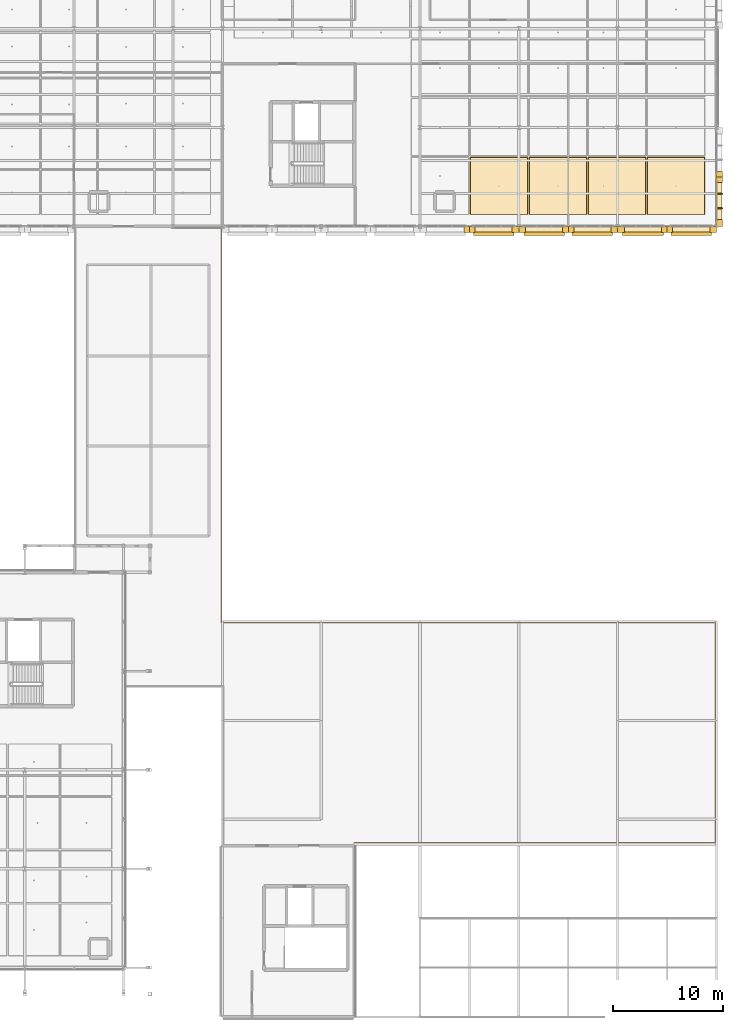
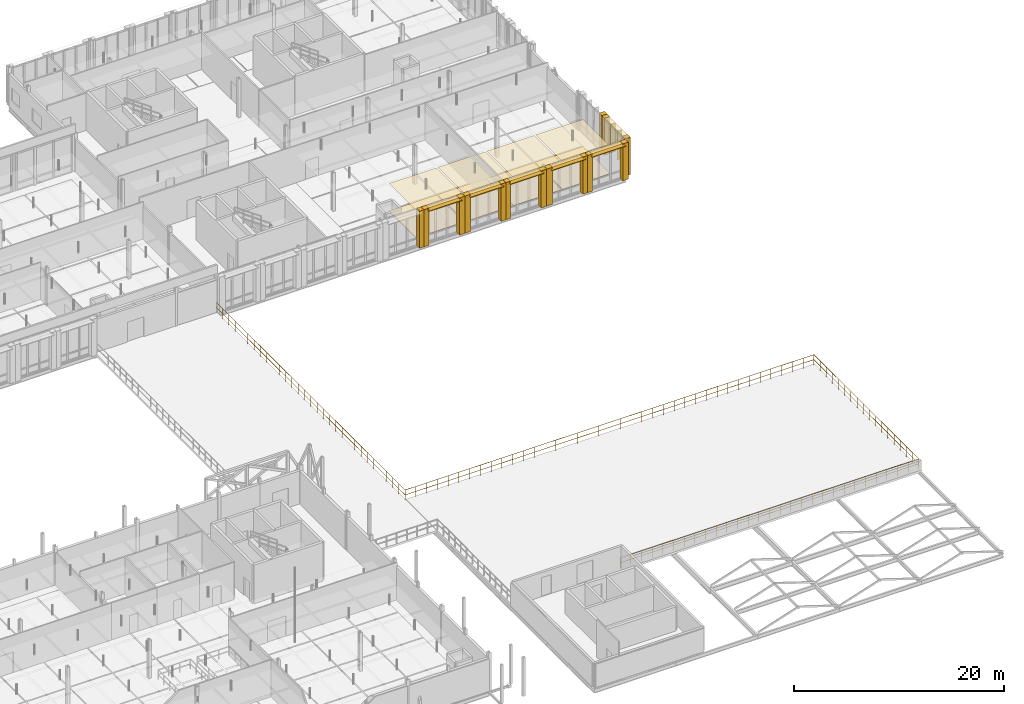
# One storey, part 88 of 89: 28 coverings, 7 shading devices, 1 railing.
"""IFC4 building model written with IfcOpenShell, lengths in metres."""

from ifc_helpers import new_model, si_unit, direction, frame, origin, origin_2d, place, context, subcontext, project, spatial, rectangle, circle, extrude, material, layer, layer_set, type_object, element, save


model = new_model("IFC4")

# Units and contexts
model_context = context("Model", 3, precision=1e-05, world=origin(), true_north=direction((0.0, 1.0)))
body_context = subcontext(model_context, "Body", "Model", "MODEL_VIEW")
ifc_project = project(units=[si_unit("LENGTHUNIT", "METRE"), si_unit("AREAUNIT", "SQUARE_METRE"), si_unit("VOLUMEUNIT", "CUBIC_METRE"), si_unit("PLANEANGLEUNIT", "RADIAN"), si_unit("MASSUNIT", "GRAM", prefix="KILO"), si_unit("THERMODYNAMICTEMPERATUREUNIT", "KELVIN"), si_unit("POWERUNIT", "WATT")], contexts=[model_context])

# Site, building, storey
site_placement = place(None, origin())
site = spatial("IfcSite", under=ifc_project, at=site_placement, CompositionType="ELEMENT")
building_placement = place(site_placement, origin())
building = spatial("IfcBuilding", under=site, at=building_placement, Name="Tallowbark Science Centre", CompositionType="ELEMENT")
storey_placement = place(building_placement, frame((0.0, 0.0, 14.39990234375)))
storey = spatial("IfcBuildingStorey", under=building, at=storey_placement, Name="L03", CompositionType="ELEMENT", Elevation=14.39990234375)

# Coverings
ifc_material_1 = material(Name="Mineral-Fibre Acoustic Ceiling Tile Grid")
ifc_layer_1 = layer(ifc_material_1, 0.01806640625)
ifc_layer_set_1 = layer_set([ifc_layer_1], Name="Mineral-Fibre Acoustic Ceiling Tile Grid")
covering_type_1 = type_object("IfcCoveringType", Name="CLG-ACT-18", PredefinedType="CEILING", material=ifc_layer_set_1)
for number, where, z_axis, x_axis, name in (
    (1, (137.6875, 75.6787109375, 3.191162109375), (0.0, 0.0, 1.0), (1.0, 0.0, 0.0), "Suspended Ceiling L03-1044"),
    (2, (143.0625, 75.6787109375, 3.191162109375), (0.0, 0.0, 1.0), (1.0, 0.0, 0.0), "Suspended Ceiling L03-1049"),
    (3, (148.4375, 75.6787109375, 3.191162109375), (0.0, 0.0, 1.0), (1.0, 0.0, 0.0), "Suspended Ceiling L03-1054"),
    (4, (153.8125, 75.6787109375, 3.191162109375), (0.0, 0.0, 1.0), (1.0, 0.0, 0.0), "Suspended Ceiling L03-1061"),
):
    element("IfcCovering", number, at=place(storey_placement, frame(where, z_axis=z_axis, x_axis=x_axis)), inside=storey, type_object=covering_type_1, Name=name, PredefinedType="CEILING", context=body_context, shape_type="SweptSolid", body=[
        extrude(rectangle(XDim=5.195068359375, YDim=5.177001953125, at=origin_2d()), origin(), (0.0, 0.0, 1.0), 0.01806640625),
    ])
ifc_material_2 = material(Name="White Architectural Precast Concrete Grade N40 (40 MPa)", Category="concrete")
ifc_layer_2 = layer(ifc_material_2, 0.1201171875)
ifc_layer_set_2 = layer_set([ifc_layer_2], Name="White Architectural Precast Concrete Grade N40 (40 MPa)")
covering_type_2 = type_object("IfcCoveringType", Name="COV-PRC-CLAD", PredefinedType="CLADDING", material=ifc_layer_set_2)
for number, where, z_axis, x_axis, name in (
    (5, (134.7451171875, 71.719970703125, 0.0), (0.0, 0.0, 1.0), (1.0, 0.0, 0.0), "Postmodern Deep Precast Pier CW-L03-172-2"),
    (6, (135.2548828125, 71.719970703125, 0.0), (0.0, 0.0, 1.0), (1.0, 0.0, 0.0), "Postmodern Deep Precast Pier CW-L03-173-1"),
):
    element("IfcCovering", number, at=place(storey_placement, frame(where, z_axis=z_axis, x_axis=x_axis)), inside=storey, type_object=covering_type_2, Name=name, PredefinedType="CLADDING", context=body_context, shape_type="SweptSolid", body=[
        extrude(rectangle(XDim=0.510009765625, YDim=0.56005859375, at=origin_2d()), origin(), (0.0, 0.0, 1.0), 4.320068359375),
    ])
for number, where, z_axis, x_axis, name in (
    (7, (139.195068359375, 71.719970703125, 0.0), (0.0, 0.0, 1.0), (1.0, 0.0, 0.0), "Postmodern Deep Precast Pier CW-L03-173-2"),
    (8, (139.804931640625, 71.719970703125, 0.0), (0.0, 0.0, 1.0), (1.0, 0.0, 0.0), "Postmodern Deep Precast Pier CW-L03-176-1"),
):
    element("IfcCovering", number, at=place(storey_placement, frame(where, z_axis=z_axis, x_axis=x_axis)), inside=storey, type_object=covering_type_2, Name=name, PredefinedType="CLADDING", context=body_context, shape_type="SweptSolid", body=[
        extrude(rectangle(XDim=0.610107421875, YDim=0.56005859375, at=origin_2d()), origin(), (0.0, 0.0, 1.0), 4.320068359375),
    ])
for number, where, z_axis, x_axis, name in (
    (9, (143.7451171875, 71.719970703125, 0.0), (0.0, 0.0, 1.0), (1.0, 0.0, 0.0), "Postmodern Deep Precast Pier CW-L03-176-2"),
    (10, (144.2548828125, 71.719970703125, 0.0), (0.0, 0.0, 1.0), (1.0, 0.0, 0.0), "Postmodern Deep Precast Pier CW-L03-177-1"),
):
    element("IfcCovering", number, at=place(storey_placement, frame(where, z_axis=z_axis, x_axis=x_axis)), inside=storey, type_object=covering_type_2, Name=name, PredefinedType="CLADDING", context=body_context, shape_type="SweptSolid", body=[
        extrude(rectangle(XDim=0.510009765625, YDim=0.56005859375, at=origin_2d()), origin(), (0.0, 0.0, 1.0), 4.320068359375),
    ])
for number, where, z_axis, x_axis, name in (
    (11, (148.195068359375, 71.719970703125, 0.0), (0.0, 0.0, 1.0), (1.0, 0.0, 0.0), "Postmodern Deep Precast Pier CW-L03-177-2"),
    (12, (148.804931640625, 71.719970703125, 0.0), (0.0, 0.0, 1.0), (1.0, 0.0, 0.0), "Postmodern Deep Precast Pier CW-L03-180-1"),
):
    element("IfcCovering", number, at=place(storey_placement, frame(where, z_axis=z_axis, x_axis=x_axis)), inside=storey, type_object=covering_type_2, Name=name, PredefinedType="CLADDING", context=body_context, shape_type="SweptSolid", body=[
        extrude(rectangle(XDim=0.610107421875, YDim=0.56005859375, at=origin_2d()), origin(), (0.0, 0.0, 1.0), 4.320068359375),
    ])
for number, where, z_axis, x_axis, name in (
    (13, (152.7451171875, 71.719970703125, 0.0), (0.0, 0.0, 1.0), (1.0, 0.0, 0.0), "Postmodern Deep Precast Pier CW-L03-180-2"),
    (14, (153.2548828125, 71.719970703125, 0.0), (0.0, 0.0, 1.0), (1.0, 0.0, 0.0), "Postmodern Deep Precast Pier CW-L03-181-1"),
):
    element("IfcCovering", number, at=place(storey_placement, frame(where, z_axis=z_axis, x_axis=x_axis)), inside=storey, type_object=covering_type_2, Name=name, PredefinedType="CLADDING", context=body_context, shape_type="SweptSolid", body=[
        extrude(rectangle(XDim=0.510009765625, YDim=0.56005859375, at=origin_2d()), origin(), (0.0, 0.0, 1.0), 4.320068359375),
    ])
for number, where, z_axis, x_axis, name in (
    (15, (157.195068359375, 71.719970703125, 0.0), (0.0, 0.0, 1.0), (1.0, 0.0, 0.0), "Postmodern Deep Precast Pier CW-L03-181-2"),
    (16, (157.780029296875, 72.304931640625, 0.0), (0.0, 0.0, 1.0), (0.0, 1.0, 0.0), "Postmodern Deep Precast Pier CW-L03-184-1"),
):
    element("IfcCovering", number, at=place(storey_placement, frame(where, z_axis=z_axis, x_axis=x_axis)), inside=storey, type_object=covering_type_2, Name=name, PredefinedType="CLADDING", context=body_context, shape_type="SweptSolid", body=[
        extrude(rectangle(XDim=0.610107421875, YDim=0.56005859375, at=origin_2d()), origin(), (0.0, 0.0, 1.0), 4.320068359375),
    ])
for number, where, z_axis, x_axis, name in (
    (17, (157.780029296875, 76.2451171875, 0.0), (0.0, 0.0, 1.0), (0.0, 1.0, 0.0), "Postmodern Deep Precast Pier CW-L03-184-2"),
    (18, (157.780029296875, 76.7548828125, 0.0), (0.0, 0.0, 1.0), (0.0, 1.0, 0.0), "Postmodern Deep Precast Pier CW-L03-185-1"),
):
    element("IfcCovering", number, at=place(storey_placement, frame(where, z_axis=z_axis, x_axis=x_axis)), inside=storey, type_object=covering_type_2, Name=name, PredefinedType="CLADDING", context=body_context, shape_type="SweptSolid", body=[
        extrude(rectangle(XDim=0.510009765625, YDim=0.56005859375, at=origin_2d()), origin(), (0.0, 0.0, 1.0), 4.320068359375),
    ])
ifc_material_3 = material(Name="Vitrified Ochre Terracotta Architectural Rainscreen", Category="masonry")
ifc_layer_3 = layer(ifc_material_3, 0.0380859375)
ifc_layer_set_3 = layer_set([ifc_layer_3], Name="Vitrified Ochre Terracotta Architectural Rainscreen")
covering_type_3 = type_object("IfcCoveringType", Name="COV-TER-CLAD", PredefinedType="CLADDING", material=ifc_layer_set_3)
for number, where, z_axis, x_axis, name in (
    (19, (137.199951171875, 71.739990234375, 3.97021484375), (0.0, 0.0, 1.0), (1.0, 0.0, 0.0), "Postmodern Terracotta Cornice Band CW-L03-173"),
    (20, (141.800048828125, 71.739990234375, 3.97021484375), (0.0, 0.0, 1.0), (1.0, 0.0, 0.0), "Postmodern Terracotta Cornice Band CW-L03-176"),
    (21, (146.199951171875, 71.739990234375, 3.97021484375), (0.0, 0.0, 1.0), (1.0, 0.0, 0.0), "Postmodern Terracotta Cornice Band CW-L03-177"),
    (22, (150.800048828125, 71.739990234375, 3.97021484375), (0.0, 0.0, 1.0), (1.0, 0.0, 0.0), "Postmodern Terracotta Cornice Band CW-L03-180"),
    (23, (155.199951171875, 71.739990234375, 3.97021484375), (0.0, 0.0, 1.0), (1.0, 0.0, 0.0), "Postmodern Terracotta Cornice Band CW-L03-181"),
    (24, (157.760009765625, 74.300048828125, 3.97021484375), (0.0, 0.0, 1.0), (0.0, 1.0, 0.0), "Postmodern Terracotta Cornice Band CW-L03-184"),
):
    element("IfcCovering", number, at=place(storey_placement, frame(where, z_axis=z_axis, x_axis=x_axis)), inside=storey, type_object=covering_type_3, Name=name, PredefinedType="CLADDING", context=body_context, shape_type="SweptSolid", body=[
        extrude(rectangle(XDim=4.300048828125, YDim=0.52001953125, at=origin_2d()), origin(), (0.0, 0.0, 1.0), 0.340087890625),
    ])
ifc_material_4 = material(Name="Engineered Blackbutt Gallery Timber Flooring", Category="wood")
ifc_layer_4 = layer(ifc_material_4, 0.02197265625)
ifc_layer_set_4 = layer_set([ifc_layer_4], Name="Engineered Blackbutt Gallery Timber Flooring")
covering_type_4 = type_object("IfcCoveringType", Name="FLR-TIM-22", PredefinedType="FLOORING", material=ifc_layer_set_4)
for number, where, z_axis, x_axis, name in (
    (25, (137.6875, 75.6787109375, 0.0), (0.0, 0.0, 1.0), (1.0, 0.0, 0.0), "Floor Finish L03-1044"),
    (26, (143.0625, 75.6787109375, 0.0), (0.0, 0.0, 1.0), (1.0, 0.0, 0.0), "Floor Finish L03-1049"),
    (27, (148.4375, 75.6787109375, 0.0), (0.0, 0.0, 1.0), (1.0, 0.0, 0.0), "Floor Finish L03-1054"),
    (28, (153.8125, 75.6787109375, 0.0), (0.0, 0.0, 1.0), (1.0, 0.0, 0.0), "Floor Finish L03-1061"),
):
    element("IfcCovering", number, at=place(storey_placement, frame(where, z_axis=z_axis, x_axis=x_axis)), inside=storey, type_object=covering_type_4, Name=name, PredefinedType="FLOORING", context=body_context, shape_type="SweptSolid", body=[
        extrude(rectangle(XDim=5.2548828125, YDim=5.237060546875, at=origin_2d()), origin(), (0.0, 0.0, 1.0), 0.02197265625),
    ])

# Railing
ifc_material_5 = material(Name="Architectural Steel Post-and-Rail Terrace Guard", Category="steel")
ifc_layer_5 = layer(ifc_material_5, 0.080078125)
ifc_layer_set_5 = layer_set([ifc_layer_5], Name="Architectural Steel Post-and-Rail Terrace Guard")
railing_type = type_object("IfcRailingType", Name="RLG-TER-1200", PredefinedType="GUARDRAIL", material=ifc_layer_set_5)
railing_placement = place(storey_placement, frame((124.5, 15.8798828125, 0.0)))
element("IfcRailing", 29, at=railing_placement, inside=storey, type_object=railing_type, Name="Guardrail GD-TRG-L03-2", PredefinedType="GUARDRAIL", context=body_context, shape_type="SweptSolid", body=[
    extrude(circle(Radius=0.02392578125, at=origin_2d()), frame((0.0, 0.0, 1.17578125), z_axis=(1.0, 0.0, 0.0), x_axis=(0.0, 1.0, 0.0)), (0.0, 0.0, 1.0), 32.8798828125),
    extrude(circle(Radius=0.02392578125, at=origin_2d()), frame((0.0, 0.0, 0.60009765625), z_axis=(1.0, 0.0, 0.0), x_axis=(0.0, 1.0, 0.0)), (0.0, 0.0, 1.0), 32.8798828125),
    extrude(circle(Radius=0.02392578125, at=origin_2d()), frame((32.8798828125, 0.0, 1.17578125), z_axis=(0.0, 1.0, 0.0), x_axis=(-1.0, 0.0, 0.0)), (0.0, 0.0, 1.0), 20.0),
    extrude(circle(Radius=0.02392578125, at=origin_2d()), frame((32.8798828125, 0.0, 0.60009765625), z_axis=(0.0, 1.0, 0.0), x_axis=(-1.0, 0.0, 0.0)), (0.0, 0.0, 1.0), 20.0),
    extrude(circle(Radius=0.02392578125, at=origin_2d()), frame((32.8798828125, 20.0, 1.17578125), z_axis=(-1.0, 0.0, 0.0), x_axis=(0.0, -1.0, 0.0)), (0.0, 0.0, 1.0), 45.0),
    extrude(circle(Radius=0.02392578125, at=origin_2d()), frame((32.8798828125, 20.0, 0.60009765625), z_axis=(-1.0, 0.0, 0.0), x_axis=(0.0, -1.0, 0.0)), (0.0, 0.0, 1.0), 45.0),
    extrude(circle(Radius=0.02392578125, at=origin_2d()), frame((-12.1201171875, 20.0, 1.17578125), z_axis=(0.0, 1.0, 0.0), x_axis=(-1.0, 0.0, 0.0)), (0.0, 0.0, 1.0), 36.0),
    extrude(circle(Radius=0.02392578125, at=origin_2d()), frame((-12.1201171875, 20.0, 0.60009765625), z_axis=(0.0, 1.0, 0.0), x_axis=(-1.0, 0.0, 0.0)), (0.0, 0.0, 1.0), 36.0),
    extrude(circle(Radius=0.02099609375, at=origin_2d()), origin(), (0.0, 0.0, 1.0), 1.15185546875),
    extrude(circle(Radius=0.02099609375, at=origin_2d()), frame((1.17431640625, 0.0, 0.0)), (0.0, 0.0, 1.0), 1.15185546875),
    extrude(circle(Radius=0.02099609375, at=origin_2d()), frame((2.3486328125, 0.0, 0.0)), (0.0, 0.0, 1.0), 1.15185546875),
    extrude(circle(Radius=0.02099609375, at=origin_2d()), frame((3.52294921875, 0.0, 0.0)), (0.0, 0.0, 1.0), 1.15185546875),
    extrude(circle(Radius=0.02099609375, at=origin_2d()), frame((4.697021484375, 0.0, 0.0)), (0.0, 0.0, 1.0), 1.15185546875),
    extrude(circle(Radius=0.02099609375, at=origin_2d()), frame((5.871337890625, 0.0, 0.0)), (0.0, 0.0, 1.0), 1.15185546875),
    extrude(circle(Radius=0.02099609375, at=origin_2d()), frame((7.045654296875, 0.0, 0.0)), (0.0, 0.0, 1.0), 1.15185546875),
    extrude(circle(Radius=0.02099609375, at=origin_2d()), frame((8.219970703125, 0.0, 0.0)), (0.0, 0.0, 1.0), 1.15185546875),
    extrude(circle(Radius=0.02099609375, at=origin_2d()), frame((9.394287109375, 0.0, 0.0)), (0.0, 0.0, 1.0), 1.15185546875),
    extrude(circle(Radius=0.02099609375, at=origin_2d()), frame((10.568603515625, 0.0, 0.0)), (0.0, 0.0, 1.0), 1.15185546875),
    extrude(circle(Radius=0.02099609375, at=origin_2d()), frame((11.742919921875, 0.0, 0.0)), (0.0, 0.0, 1.0), 1.15185546875),
    extrude(circle(Radius=0.02099609375, at=origin_2d()), frame((12.9169921875, 0.0, 0.0)), (0.0, 0.0, 1.0), 1.15185546875),
    extrude(circle(Radius=0.02099609375, at=origin_2d()), frame((14.09130859375, 0.0, 0.0)), (0.0, 0.0, 1.0), 1.15185546875),
    extrude(circle(Radius=0.02099609375, at=origin_2d()), frame((15.265625, 0.0, 0.0)), (0.0, 0.0, 1.0), 1.15185546875),
    extrude(circle(Radius=0.02099609375, at=origin_2d()), frame((16.43994140625, 0.0, 0.0)), (0.0, 0.0, 1.0), 1.15185546875),
    extrude(circle(Radius=0.02099609375, at=origin_2d()), frame((17.6142578125, 0.0, 0.0)), (0.0, 0.0, 1.0), 1.15185546875),
    extrude(circle(Radius=0.02099609375, at=origin_2d()), frame((18.78857421875, 0.0, 0.0)), (0.0, 0.0, 1.0), 1.15185546875),
    extrude(circle(Radius=0.02099609375, at=origin_2d()), frame((19.962890625, 0.0, 0.0)), (0.0, 0.0, 1.0), 1.15185546875),
    extrude(circle(Radius=0.02099609375, at=origin_2d()), frame((21.136962890625, 0.0, 0.0)), (0.0, 0.0, 1.0), 1.15185546875),
    extrude(circle(Radius=0.02099609375, at=origin_2d()), frame((22.311279296875, 0.0, 0.0)), (0.0, 0.0, 1.0), 1.15185546875),
    extrude(circle(Radius=0.02099609375, at=origin_2d()), frame((23.485595703125, 0.0, 0.0)), (0.0, 0.0, 1.0), 1.15185546875),
    extrude(circle(Radius=0.02099609375, at=origin_2d()), frame((24.659912109375, 0.0, 0.0)), (0.0, 0.0, 1.0), 1.15185546875),
    extrude(circle(Radius=0.02099609375, at=origin_2d()), frame((25.834228515625, 0.0, 0.0)), (0.0, 0.0, 1.0), 1.15185546875),
    extrude(circle(Radius=0.02099609375, at=origin_2d()), frame((27.008544921875, 0.0, 0.0)), (0.0, 0.0, 1.0), 1.15185546875),
    extrude(circle(Radius=0.02099609375, at=origin_2d()), frame((28.182861328125, 0.0, 0.0)), (0.0, 0.0, 1.0), 1.15185546875),
    extrude(circle(Radius=0.02099609375, at=origin_2d()), frame((29.35693359375, 0.0, 0.0)), (0.0, 0.0, 1.0), 1.15185546875),
    extrude(circle(Radius=0.02099609375, at=origin_2d()), frame((30.53125, 0.0, 0.0)), (0.0, 0.0, 1.0), 1.15185546875),
    extrude(circle(Radius=0.02099609375, at=origin_2d()), frame((31.70556640625, 0.0, 0.0)), (0.0, 0.0, 1.0), 1.15185546875),
    extrude(circle(Radius=0.02099609375, at=origin_2d()), frame((32.8798828125, 0.0, 0.0)), (0.0, 0.0, 1.0), 1.15185546875),
    extrude(circle(Radius=0.02099609375, at=origin_2d()), frame((32.8798828125, 1.176513671875, 0.0)), (0.0, 0.0, 1.0), 1.15185546875),
    extrude(circle(Radius=0.02099609375, at=origin_2d()), frame((32.8798828125, 2.35302734375, 0.0)), (0.0, 0.0, 1.0), 1.15185546875),
    extrude(circle(Radius=0.02099609375, at=origin_2d()), frame((32.8798828125, 3.529296875, 0.0)), (0.0, 0.0, 1.0), 1.15185546875),
    extrude(circle(Radius=0.02099609375, at=origin_2d()), frame((32.8798828125, 4.705810546875, 0.0)), (0.0, 0.0, 1.0), 1.15185546875),
    extrude(circle(Radius=0.02099609375, at=origin_2d()), frame((32.8798828125, 5.88232421875, 0.0)), (0.0, 0.0, 1.0), 1.15185546875),
    extrude(circle(Radius=0.02099609375, at=origin_2d()), frame((32.8798828125, 7.058837890625, 0.0)), (0.0, 0.0, 1.0), 1.15185546875),
    extrude(circle(Radius=0.02099609375, at=origin_2d()), frame((32.8798828125, 8.2353515625, 0.0)), (0.0, 0.0, 1.0), 1.15185546875),
    extrude(circle(Radius=0.02099609375, at=origin_2d()), frame((32.8798828125, 9.411865234375, 0.0)), (0.0, 0.0, 1.0), 1.15185546875),
    extrude(circle(Radius=0.02099609375, at=origin_2d()), frame((32.8798828125, 10.588134765625, 0.0)), (0.0, 0.0, 1.0), 1.15185546875),
    extrude(circle(Radius=0.02099609375, at=origin_2d()), frame((32.8798828125, 11.7646484375, 0.0)), (0.0, 0.0, 1.0), 1.15185546875),
    extrude(circle(Radius=0.02099609375, at=origin_2d()), frame((32.8798828125, 12.941162109375, 0.0)), (0.0, 0.0, 1.0), 1.15185546875),
    extrude(circle(Radius=0.02099609375, at=origin_2d()), frame((32.8798828125, 14.11767578125, 0.0)), (0.0, 0.0, 1.0), 1.15185546875),
    extrude(circle(Radius=0.02099609375, at=origin_2d()), frame((32.8798828125, 15.294189453125, 0.0)), (0.0, 0.0, 1.0), 1.15185546875),
    extrude(circle(Radius=0.02099609375, at=origin_2d()), frame((32.8798828125, 16.470703125, 0.0)), (0.0, 0.0, 1.0), 1.15185546875),
    extrude(circle(Radius=0.02099609375, at=origin_2d()), frame((32.8798828125, 17.64697265625, 0.0)), (0.0, 0.0, 1.0), 1.15185546875),
    extrude(circle(Radius=0.02099609375, at=origin_2d()), frame((32.8798828125, 18.823486328125, 0.0)), (0.0, 0.0, 1.0), 1.15185546875),
    extrude(circle(Radius=0.02099609375, at=origin_2d()), frame((32.8798828125, 20.0, 0.0)), (0.0, 0.0, 1.0), 1.15185546875),
    extrude(circle(Radius=0.02099609375, at=origin_2d()), frame((31.695556640625, 20.0, 0.0)), (0.0, 0.0, 1.0), 1.15185546875),
    extrude(circle(Radius=0.02099609375, at=origin_2d()), frame((30.511474609375, 20.0, 0.0)), (0.0, 0.0, 1.0), 1.15185546875),
    extrude(circle(Radius=0.02099609375, at=origin_2d()), frame((29.3271484375, 20.0, 0.0)), (0.0, 0.0, 1.0), 1.15185546875),
    extrude(circle(Radius=0.02099609375, at=origin_2d()), frame((28.14306640625, 20.0, 0.0)), (0.0, 0.0, 1.0), 1.15185546875),
    extrude(circle(Radius=0.02099609375, at=origin_2d()), frame((26.958740234375, 20.0, 0.0)), (0.0, 0.0, 1.0), 1.15185546875),
    extrude(circle(Radius=0.02099609375, at=origin_2d()), frame((25.774658203125, 20.0, 0.0)), (0.0, 0.0, 1.0), 1.15185546875),
    extrude(circle(Radius=0.02099609375, at=origin_2d()), frame((24.59033203125, 20.0, 0.0)), (0.0, 0.0, 1.0), 1.15185546875),
    extrude(circle(Radius=0.02099609375, at=origin_2d()), frame((23.40625, 20.0, 0.0)), (0.0, 0.0, 1.0), 1.15185546875),
    extrude(circle(Radius=0.02099609375, at=origin_2d()), frame((22.221923828125, 20.0, 0.0)), (0.0, 0.0, 1.0), 1.15185546875),
    extrude(circle(Radius=0.02099609375, at=origin_2d()), frame((21.037841796875, 20.0, 0.0)), (0.0, 0.0, 1.0), 1.15185546875),
    extrude(circle(Radius=0.02099609375, at=origin_2d()), frame((19.853515625, 20.0, 0.0)), (0.0, 0.0, 1.0), 1.15185546875),
    extrude(circle(Radius=0.02099609375, at=origin_2d()), frame((18.66943359375, 20.0, 0.0)), (0.0, 0.0, 1.0), 1.15185546875),
    extrude(circle(Radius=0.02099609375, at=origin_2d()), frame((17.485107421875, 20.0, 0.0)), (0.0, 0.0, 1.0), 1.15185546875),
    extrude(circle(Radius=0.02099609375, at=origin_2d()), frame((16.301025390625, 20.0, 0.0)), (0.0, 0.0, 1.0), 1.15185546875),
    extrude(circle(Radius=0.02099609375, at=origin_2d()), frame((15.11669921875, 20.0, 0.0)), (0.0, 0.0, 1.0), 1.15185546875),
    extrude(circle(Radius=0.02099609375, at=origin_2d()), frame((13.9326171875, 20.0, 0.0)), (0.0, 0.0, 1.0), 1.15185546875),
    extrude(circle(Radius=0.02099609375, at=origin_2d()), frame((12.748291015625, 20.0, 0.0)), (0.0, 0.0, 1.0), 1.15185546875),
    extrude(circle(Radius=0.02099609375, at=origin_2d()), frame((11.564208984375, 20.0, 0.0)), (0.0, 0.0, 1.0), 1.15185546875),
    extrude(circle(Radius=0.02099609375, at=origin_2d()), frame((10.3798828125, 20.0, 0.0)), (0.0, 0.0, 1.0), 1.15185546875),
    extrude(circle(Radius=0.02099609375, at=origin_2d()), frame((9.195556640625, 20.0, 0.0)), (0.0, 0.0, 1.0), 1.15185546875),
    extrude(circle(Radius=0.02099609375, at=origin_2d()), frame((8.011474609375, 20.0, 0.0)), (0.0, 0.0, 1.0), 1.15185546875),
    extrude(circle(Radius=0.02099609375, at=origin_2d()), frame((6.8271484375, 20.0, 0.0)), (0.0, 0.0, 1.0), 1.15185546875),
    extrude(circle(Radius=0.02099609375, at=origin_2d()), frame((5.64306640625, 20.0, 0.0)), (0.0, 0.0, 1.0), 1.15185546875),
    extrude(circle(Radius=0.02099609375, at=origin_2d()), frame((4.458740234375, 20.0, 0.0)), (0.0, 0.0, 1.0), 1.15185546875),
    extrude(circle(Radius=0.02099609375, at=origin_2d()), frame((3.274658203125, 20.0, 0.0)), (0.0, 0.0, 1.0), 1.15185546875),
    extrude(circle(Radius=0.02099609375, at=origin_2d()), frame((2.09033203125, 20.0, 0.0)), (0.0, 0.0, 1.0), 1.15185546875),
    extrude(circle(Radius=0.02099609375, at=origin_2d()), frame((0.90625, 20.0, 0.0)), (0.0, 0.0, 1.0), 1.15185546875),
    extrude(circle(Radius=0.02099609375, at=origin_2d()), frame((-0.278076171875, 20.0, 0.0)), (0.0, 0.0, 1.0), 1.15185546875),
    extrude(circle(Radius=0.02099609375, at=origin_2d()), frame((-1.462158203125, 20.0, 0.0)), (0.0, 0.0, 1.0), 1.15185546875),
    extrude(circle(Radius=0.02099609375, at=origin_2d()), frame((-2.646484375, 20.0, 0.0)), (0.0, 0.0, 1.0), 1.15185546875),
    extrude(circle(Radius=0.02099609375, at=origin_2d()), frame((-3.83056640625, 20.0, 0.0)), (0.0, 0.0, 1.0), 1.15185546875),
    extrude(circle(Radius=0.02099609375, at=origin_2d()), frame((-5.014892578125, 20.0, 0.0)), (0.0, 0.0, 1.0), 1.15185546875),
    extrude(circle(Radius=0.02099609375, at=origin_2d()), frame((-6.198974609375, 20.0, 0.0)), (0.0, 0.0, 1.0), 1.15185546875),
    extrude(circle(Radius=0.02099609375, at=origin_2d()), frame((-7.38330078125, 20.0, 0.0)), (0.0, 0.0, 1.0), 1.15185546875),
    extrude(circle(Radius=0.02099609375, at=origin_2d()), frame((-8.5673828125, 20.0, 0.0)), (0.0, 0.0, 1.0), 1.15185546875),
    extrude(circle(Radius=0.02099609375, at=origin_2d()), frame((-9.751708984375, 20.0, 0.0)), (0.0, 0.0, 1.0), 1.15185546875),
    extrude(circle(Radius=0.02099609375, at=origin_2d()), frame((-10.935791015625, 20.0, 0.0)), (0.0, 0.0, 1.0), 1.15185546875),
    extrude(circle(Radius=0.02099609375, at=origin_2d()), frame((-12.1201171875, 20.0, 0.0)), (0.0, 0.0, 1.0), 1.15185546875),
    extrude(circle(Radius=0.02099609375, at=origin_2d()), frame((-12.1201171875, 21.199951171875, 0.0)), (0.0, 0.0, 1.0), 1.15185546875),
    extrude(circle(Radius=0.02099609375, at=origin_2d()), frame((-12.1201171875, 22.39990234375, 0.0)), (0.0, 0.0, 1.0), 1.15185546875),
    extrude(circle(Radius=0.02099609375, at=origin_2d()), frame((-12.1201171875, 23.60009765625, 0.0)), (0.0, 0.0, 1.0), 1.15185546875),
    extrude(circle(Radius=0.02099609375, at=origin_2d()), frame((-12.1201171875, 24.800048828125, 0.0)), (0.0, 0.0, 1.0), 1.15185546875),
    extrude(circle(Radius=0.02099609375, at=origin_2d()), frame((-12.1201171875, 26.0, 0.0)), (0.0, 0.0, 1.0), 1.15185546875),
    extrude(circle(Radius=0.02099609375, at=origin_2d()), frame((-12.1201171875, 27.199951171875, 0.0)), (0.0, 0.0, 1.0), 1.15185546875),
    extrude(circle(Radius=0.02099609375, at=origin_2d()), frame((-12.1201171875, 28.39990234375, 0.0)), (0.0, 0.0, 1.0), 1.15185546875),
    extrude(circle(Radius=0.02099609375, at=origin_2d()), frame((-12.1201171875, 29.60009765625, 0.0)), (0.0, 0.0, 1.0), 1.15185546875),
    extrude(circle(Radius=0.02099609375, at=origin_2d()), frame((-12.1201171875, 30.800048828125, 0.0)), (0.0, 0.0, 1.0), 1.15185546875),
    extrude(circle(Radius=0.02099609375, at=origin_2d()), frame((-12.1201171875, 32.0, 0.0)), (0.0, 0.0, 1.0), 1.15185546875),
    extrude(circle(Radius=0.02099609375, at=origin_2d()), frame((-12.1201171875, 33.199951171875, 0.0)), (0.0, 0.0, 1.0), 1.15185546875),
    extrude(circle(Radius=0.02099609375, at=origin_2d()), frame((-12.1201171875, 34.39990234375, 0.0)), (0.0, 0.0, 1.0), 1.15185546875),
    extrude(circle(Radius=0.02099609375, at=origin_2d()), frame((-12.1201171875, 35.60009765625, 0.0)), (0.0, 0.0, 1.0), 1.15185546875),
    extrude(circle(Radius=0.02099609375, at=origin_2d()), frame((-12.1201171875, 36.800048828125, 0.0)), (0.0, 0.0, 1.0), 1.15185546875),
    extrude(circle(Radius=0.02099609375, at=origin_2d()), frame((-12.1201171875, 38.0, 0.0)), (0.0, 0.0, 1.0), 1.15185546875),
    extrude(circle(Radius=0.02099609375, at=origin_2d()), frame((-12.1201171875, 39.199951171875, 0.0)), (0.0, 0.0, 1.0), 1.15185546875),
    extrude(circle(Radius=0.02099609375, at=origin_2d()), frame((-12.1201171875, 40.39990234375, 0.0)), (0.0, 0.0, 1.0), 1.15185546875),
    extrude(circle(Radius=0.02099609375, at=origin_2d()), frame((-12.1201171875, 41.60009765625, 0.0)), (0.0, 0.0, 1.0), 1.15185546875),
    extrude(circle(Radius=0.02099609375, at=origin_2d()), frame((-12.1201171875, 42.800048828125, 0.0)), (0.0, 0.0, 1.0), 1.15185546875),
    extrude(circle(Radius=0.02099609375, at=origin_2d()), frame((-12.1201171875, 44.0, 0.0)), (0.0, 0.0, 1.0), 1.15185546875),
    extrude(circle(Radius=0.02099609375, at=origin_2d()), frame((-12.1201171875, 45.199951171875, 0.0)), (0.0, 0.0, 1.0), 1.15185546875),
    extrude(circle(Radius=0.02099609375, at=origin_2d()), frame((-12.1201171875, 46.39990234375, 0.0)), (0.0, 0.0, 1.0), 1.15185546875),
    extrude(circle(Radius=0.02099609375, at=origin_2d()), frame((-12.1201171875, 47.60009765625, 0.0)), (0.0, 0.0, 1.0), 1.15185546875),
    extrude(circle(Radius=0.02099609375, at=origin_2d()), frame((-12.1201171875, 48.800048828125, 0.0)), (0.0, 0.0, 1.0), 1.15185546875),
    extrude(circle(Radius=0.02099609375, at=origin_2d()), frame((-12.1201171875, 50.0, 0.0)), (0.0, 0.0, 1.0), 1.15185546875),
    extrude(circle(Radius=0.02099609375, at=origin_2d()), frame((-12.1201171875, 51.199951171875, 0.0)), (0.0, 0.0, 1.0), 1.15185546875),
    extrude(circle(Radius=0.02099609375, at=origin_2d()), frame((-12.1201171875, 52.39990234375, 0.0)), (0.0, 0.0, 1.0), 1.15185546875),
    extrude(circle(Radius=0.02099609375, at=origin_2d()), frame((-12.1201171875, 53.60009765625, 0.0)), (0.0, 0.0, 1.0), 1.15185546875),
    extrude(circle(Radius=0.02099609375, at=origin_2d()), frame((-12.1201171875, 54.800048828125, 0.0)), (0.0, 0.0, 1.0), 1.15185546875),
    extrude(circle(Radius=0.02099609375, at=origin_2d()), frame((-12.1201171875, 56.0, 0.0)), (0.0, 0.0, 1.0), 1.15185546875),
])

# Shading devices
ifc_material_6 = material(Name="Sandstone-Finished Architectural Aluminium Solar Fin", Category="masonry")
shading_device_type_1 = type_object("IfcShadingDeviceType", Name="SHD-FIN-400", PredefinedType="JALOUSIE", material=ifc_material_6)
for number, where, z_axis, x_axis, name in (
    (30, (157.780029296875, 73.64990234375, 0.92529296875), (0.0, 0.0, 1.0), (0.0, 1.0, 0.0), "Vertical Solar Fin CW-L03-184-1"),
    (31, (157.780029296875, 74.949951171875, 0.92529296875), (0.0, 0.0, 1.0), (0.0, 1.0, 0.0), "Vertical Solar Fin CW-L03-184-2"),
):
    element("IfcShadingDevice", number, at=place(storey_placement, frame(where, z_axis=z_axis, x_axis=x_axis)), inside=storey, type_object=shading_device_type_1, Name=name, PredefinedType="JALOUSIE", context=body_context, shape_type="SweptSolid", body=[
        extrude(rectangle(XDim=0.074951171875, YDim=0.550048828125, at=origin_2d()), origin(), (0.0, 0.0, 1.0), 3.320068359375),
    ])
ifc_material_7 = material(Name="Terracotta-Anodised Extruded Aluminium Sunshade Blade", Category="masonry")
ifc_layer_6 = layer(ifc_material_7, 0.054931640625)
ifc_layer_set_6 = layer_set([ifc_layer_6], Name="Terracotta-Anodised Extruded Aluminium Sunshade Blade")
shading_device_type_2 = type_object("IfcShadingDeviceType", Name="SHD-LVR-300", PredefinedType="AWNING", material=ifc_layer_set_6)
for number, where, z_axis, x_axis, name in (
    (32, (137.199951171875, 71.580078125, 4.1328125), (0.0, 0.0, 1.0), (1.0, 0.0, 0.0), "Horizontal Solar Louvre Hood CW-L03-173"),
    (33, (141.800048828125, 71.580078125, 4.1328125), (0.0, 0.0, 1.0), (1.0, 0.0, 0.0), "Horizontal Solar Louvre Hood CW-L03-176"),
    (34, (146.199951171875, 71.580078125, 4.1328125), (0.0, 0.0, 1.0), (1.0, 0.0, 0.0), "Horizontal Solar Louvre Hood CW-L03-177"),
    (35, (150.800048828125, 71.580078125, 4.1328125), (0.0, 0.0, 1.0), (1.0, 0.0, 0.0), "Horizontal Solar Louvre Hood CW-L03-180"),
    (36, (155.199951171875, 71.580078125, 4.1328125), (0.0, 0.0, 1.0), (1.0, 0.0, 0.0), "Horizontal Solar Louvre Hood CW-L03-181"),
):
    element("IfcShadingDevice", number, at=place(storey_placement, frame(where, z_axis=z_axis, x_axis=x_axis)), inside=storey, type_object=shading_device_type_2, Name=name, PredefinedType="AWNING", context=body_context, shape_type="SweptSolid", body=[
        extrude(rectangle(XDim=3.699951171875, YDim=0.840087890625, at=origin_2d()), origin(), (0.0, 0.0, 1.0), 0.054931640625),
    ])

save(model, "model.ifc")
